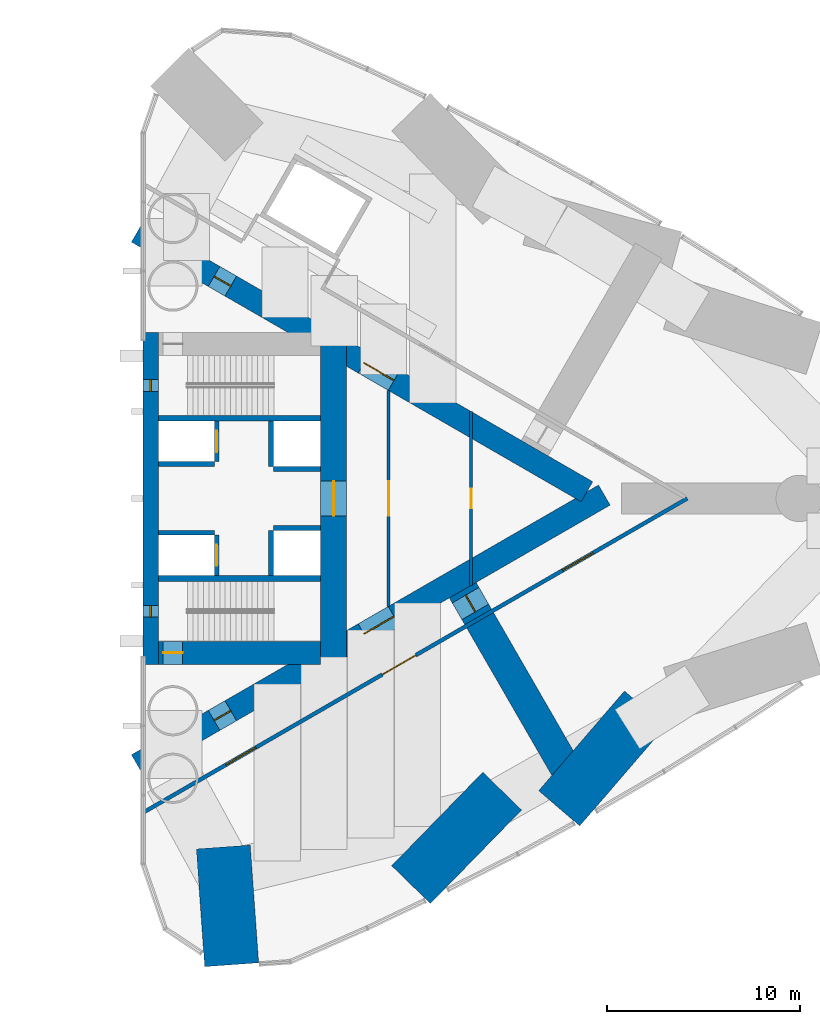
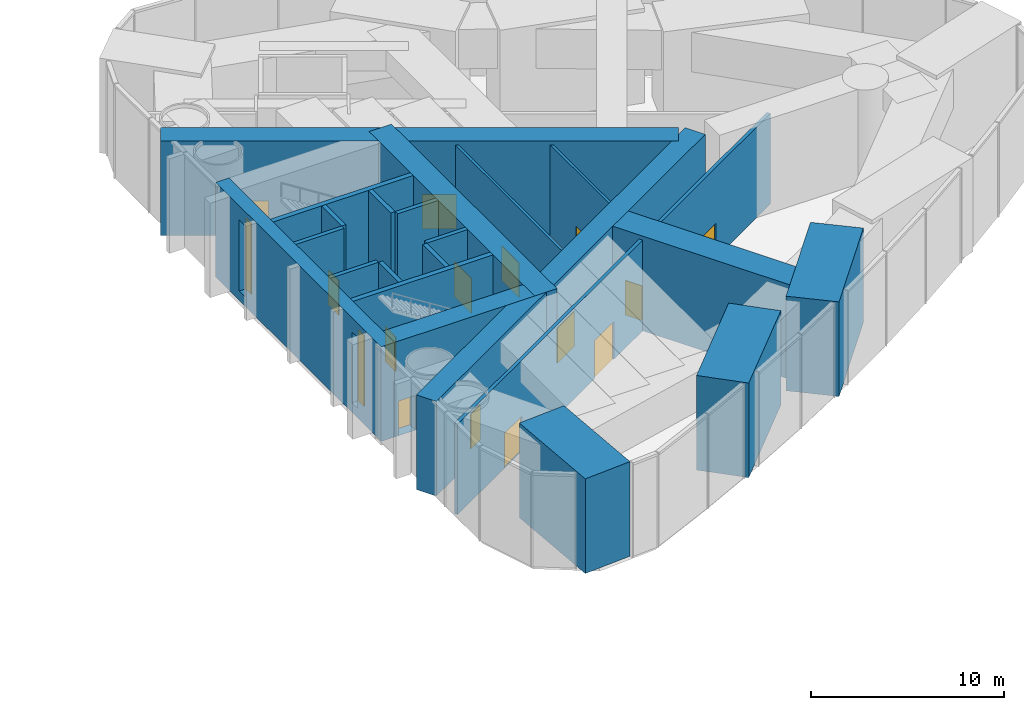
# One storey, part 13 of 16: 22 walls, 14 doors, 2 windows, 16 openings.
"""IFC4 building model written with IfcOpenShell, lengths in metres."""

from ifc_helpers import new_model, si_unit, direction, frame, frame_2d, origin, place, context, subcontext, project, spatial, rectangle, extrude, material, layer, layer_set, type_object, element, fill, save


model = new_model("IFC4")

# Units and contexts
model_context = context("Model", 3, precision=1e-05, world=origin(), true_north=direction((0.0, 1.0)))
body_context = subcontext(model_context, "Body", "Model", "MODEL_VIEW")
ifc_project = project(units=[si_unit("LENGTHUNIT", "METRE"), si_unit("AREAUNIT", "SQUARE_METRE"), si_unit("VOLUMEUNIT", "CUBIC_METRE"), si_unit("PLANEANGLEUNIT", "RADIAN"), si_unit("MASSUNIT", "GRAM", prefix="KILO")], contexts=[model_context])

# Site, building, storey
site_placement = place(None, origin())
site = spatial("IfcSite", under=ifc_project, at=site_placement, CompositionType="ELEMENT")
building_placement = place(site_placement, origin())
building = spatial("IfcBuilding", under=site, at=building_placement, Name="Lancet Gate Hotel", CompositionType="ELEMENT")
storey_placement = place(building_placement, frame((0.0, 0.0, 146.699951171875)))
storey = spatial("IfcBuildingStorey", under=building, at=storey_placement, Name="L39", CompositionType="ELEMENT", Elevation=146.699951171875)

# Wall, openings, doors
ifc_material_1 = material(Name="Concrete C70/85", Category="concrete")
ifc_layer_1 = layer(ifc_material_1, 1.199951171875)
ifc_layer_set_1 = layer_set([ifc_layer_1], Name="Buttress wall 1200")
wall_type_1 = type_object("IfcWallType", Name="Buttress wall 1200", PredefinedType="SHEAR", material=ifc_layer_set_1)
wall_1_placement = place(storey_placement, frame((27.199951171875, -13.800048828125, 0.0), z_axis=(0.0, 0.0, 1.0), x_axis=(0.866027159892, 0.499996958321, 0.0)))
wall_1 = element("IfcWall", 1, at=wall_1_placement, inside=storey, type_object=wall_type_1, Name="T2 buttress wall S L39", PredefinedType="SHEAR", context=body_context, shape_type="SweptSolid", body=[
    extrude(rectangle(XDim=27.946533203125, YDim=1.199951171875, at=frame_2d((13.97314453125, 0.0))), origin(), (0.0, 0.0, 1.0), 6.0),
])
opening_1_placement = place(wall_1_placement, frame((4.60009765625, 0.0, 0.0)))
opening_1 = element("IfcOpeningElement", 2, at=opening_1_placement, cuts=wall_1, Name="Opening T2-L39-LS", PredefinedType="OPENING", context=body_context, shape_type="SweptSolid", body=[
    extrude(rectangle(XDim=1.0, YDim=2.199951171875, at=frame_2d((0.5, 1.10009765625))), frame((0.0, 0.60986328125, 0.0), z_axis=(0.0, -1.0, 0.0), x_axis=(1.0, 0.0, 0.0)), (0.0, 0.0, 1.0), 1.219970703125),
])
opening_2_placement = place(wall_1_placement, frame((13.567626953125, 0.0, 0.0)))
opening_2 = element("IfcOpeningElement", 3, at=opening_2_placement, cuts=wall_1, Name="Opening T2-L39-LHS", PredefinedType="OPENING", context=body_context, shape_type="SweptSolid", body=[
    extrude(rectangle(XDim=1.800048828125, YDim=2.199951171875, at=frame_2d((0.89990234375, 1.10009765625))), frame((0.0, 0.60986328125, 0.0), z_axis=(0.0, -1.0, 0.0), x_axis=(1.0, 0.0, 0.0)), (0.0, 0.0, 1.0), 1.219970703125),
])
ifc_material_2 = material(Name="Timber door set", Category="wood")
door_type_1 = type_object("IfcDoorType", Name="Lobby double door 1800", OperationType="DOUBLE_DOOR_SINGLE_SWING", PredefinedType="DOOR", material=ifc_material_2)
door_1_placement = place(opening_2_placement, origin())
door_1 = element("IfcDoor", 4, at=door_1_placement, inside=storey, type_object=door_type_1, Name="T2-L39-LHS", OperationType="DOUBLE_DOOR_SINGLE_SWING", OverallHeight=2.199951171875, OverallWidth=1.800048828125, PredefinedType="DOOR", context=body_context, shape_type="SweptSolid", body=[
    extrude(rectangle(XDim=1.800048828125, YDim=2.199951171875, at=frame_2d((0.89990234375, 1.10009765625))), frame((0.0, 0.02490234375, 0.0), z_axis=(0.0, -1.0, 0.0), x_axis=(1.0, 0.0, 0.0)), (0.0, 0.0, 1.0), 0.050048828125),
])
fill(opening_2, door_1)
ifc_material_3 = material(Name="Timber door set", Category="wood")
door_type_2 = type_object("IfcDoorType", Name="Stair lobby door 1000", OperationType="SINGLE_SWING_LEFT", PredefinedType="DOOR", material=ifc_material_3)
door_2_placement = place(opening_1_placement, origin())
door_2 = element("IfcDoor", 5, at=door_2_placement, inside=storey, type_object=door_type_2, Name="T2-L39-LS", OperationType="SINGLE_SWING_LEFT", OverallHeight=2.199951171875, OverallWidth=1.0, PredefinedType="DOOR", context=body_context, shape_type="SweptSolid", body=[
    extrude(rectangle(XDim=1.0, YDim=2.199951171875, at=frame_2d((0.5, 1.10009765625))), frame((0.0, 0.02490234375, 0.0), z_axis=(0.0, -1.0, 0.0), x_axis=(1.0, 0.0, 0.0)), (0.0, 0.0, 1.0), 0.050048828125),
])
fill(opening_1, door_2)

wall_2_placement = place(storey_placement, frame((27.199951171875, 13.800048828125, 0.0), z_axis=(0.0, 0.0, 1.0), x_axis=(0.866024515034, -0.500001539357, 0.0)))
wall_2 = element("IfcWall", 6, at=wall_2_placement, inside=storey, type_object=wall_type_1, Name="T2 buttress wall N L39", PredefinedType="SHEAR", context=body_context, shape_type="SweptSolid", body=[
    extrude(rectangle(XDim=26.9072265625, YDim=1.199951171875, at=frame_2d((13.45361328125, 0.0))), origin(), (0.0, 0.0, 1.0), 6.0),
])
opening_3_placement = place(wall_2_placement, frame((4.60009765625, 0.0, 0.0)))
opening_3 = element("IfcOpeningElement", 7, at=opening_3_placement, cuts=wall_2, Name="Opening T2-L39-LN", PredefinedType="OPENING", context=body_context, shape_type="SweptSolid", body=[
    extrude(rectangle(XDim=1.0, YDim=2.199951171875, at=frame_2d((0.5, 1.10009765625))), frame((0.0, 0.60986328125, 0.0), z_axis=(0.0, -1.0, 0.0), x_axis=(1.0, 0.0, 0.0)), (0.0, 0.0, 1.0), 1.219970703125),
])
opening_4_placement = place(wall_2_placement, frame((13.567626953125, 0.0, 0.0)))
opening_4 = element("IfcOpeningElement", 8, at=opening_4_placement, cuts=wall_2, Name="Opening T2-L39-LHN", PredefinedType="OPENING", context=body_context, shape_type="SweptSolid", body=[
    extrude(rectangle(XDim=1.800048828125, YDim=2.199951171875, at=frame_2d((0.89990234375, 1.10009765625))), frame((0.0, 0.60986328125, 0.0), z_axis=(0.0, -1.0, 0.0), x_axis=(1.0, 0.0, 0.0)), (0.0, 0.0, 1.0), 1.219970703125),
])
door_3_placement = place(opening_4_placement, origin())
door_3 = element("IfcDoor", 9, at=door_3_placement, inside=storey, type_object=door_type_1, Name="T2-L39-LHN", OperationType="DOUBLE_DOOR_SINGLE_SWING", OverallHeight=2.199951171875, OverallWidth=1.800048828125, PredefinedType="DOOR", context=body_context, shape_type="SweptSolid", body=[
    extrude(rectangle(XDim=1.800048828125, YDim=2.199951171875, at=frame_2d((0.89990234375, 1.10009765625))), frame((0.0, 0.02490234375, 0.0), z_axis=(0.0, -1.0, 0.0), x_axis=(1.0, 0.0, 0.0)), (0.0, 0.0, 1.0), 0.050048828125),
])
fill(opening_4, door_3)
door_4_placement = place(opening_3_placement, origin())
door_4 = element("IfcDoor", 10, at=door_4_placement, inside=storey, type_object=door_type_2, Name="T2-L39-LN", OperationType="SINGLE_SWING_LEFT", OverallHeight=2.199951171875, OverallWidth=1.0, PredefinedType="DOOR", context=body_context, shape_type="SweptSolid", body=[
    extrude(rectangle(XDim=1.0, YDim=2.199951171875, at=frame_2d((0.5, 1.10009765625))), frame((0.0, 0.02490234375, 0.0), z_axis=(0.0, -1.0, 0.0), x_axis=(1.0, 0.0, 0.0)), (0.0, 0.0, 1.0), 0.050048828125),
])
fill(opening_3, door_4)

# Wall, opening, door
ifc_material_4 = material(Name="Concrete C70/85", Category="concrete")
ifc_layer_2 = layer(ifc_material_4, 1.35009765625)
ifc_layer_set_2 = layer_set([ifc_layer_2], Name="Core back wall 1350, outrigger storeys")
wall_type_2 = type_object("IfcWallType", Name="Core back wall 1350, outrigger storeys", PredefinedType="SHEAR", material=ifc_layer_set_2)
wall_3_placement = place(storey_placement, frame((37.375, -8.60009765625, 0.0), z_axis=(0.0, 0.0, 1.0), x_axis=(0.0, 1.0, 0.0)))
wall_3 = element("IfcWall", 11, at=wall_3_placement, inside=storey, type_object=wall_type_2, Name="T2 core wall back L39", PredefinedType="SHEAR", context=body_context, shape_type="SweptSolid", body=[
    extrude(rectangle(XDim=17.2001953125, YDim=1.35009765625, at=frame_2d((8.60009765625, 0.0))), origin(), (0.0, 0.0, 1.0), 6.0),
])
opening_5_placement = place(wall_3_placement, frame((7.699951171875, 0.0, 0.0)))
opening_5 = element("IfcOpeningElement", 12, at=opening_5_placement, cuts=wall_3, Name="Opening T2-L39-LL", PredefinedType="OPENING", context=body_context, shape_type="SweptSolid", body=[
    extrude(rectangle(XDim=1.800048828125, YDim=2.199951171875, at=frame_2d((0.89990234375, 1.10009765625))), frame((0.0, 0.68505859375, 0.0), z_axis=(0.0, -1.0, 0.0), x_axis=(1.0, 0.0, 0.0)), (0.0, 0.0, 1.0), 1.3701171875),
])
door_5_placement = place(opening_5_placement, origin())
door_5 = element("IfcDoor", 13, at=door_5_placement, inside=storey, type_object=door_type_1, Name="T2-L39-LL", OperationType="DOUBLE_DOOR_SINGLE_SWING", OverallHeight=2.199951171875, OverallWidth=1.800048828125, PredefinedType="DOOR", context=body_context, shape_type="SweptSolid", body=[
    extrude(rectangle(XDim=1.800048828125, YDim=2.199951171875, at=frame_2d((0.89990234375, 1.10009765625))), frame((0.0, 0.02490234375, 0.0), z_axis=(0.0, -1.0, 0.0), x_axis=(1.0, 0.0, 0.0)), (0.0, 0.0, 1.0), 0.050048828125),
])
fill(opening_5, door_5)

ifc_material_5 = material(Name="Concrete C70/85", Category="concrete")
ifc_layer_3 = layer(ifc_material_5, 1.199951171875)
ifc_layer_set_3 = layer_set([ifc_layer_3], Name="Core wall 1200")
wall_type_3 = type_object("IfcWallType", Name="Core wall 1200", PredefinedType="SHEAR", material=ifc_layer_set_3)
wall_4_placement = place(storey_placement, frame((28.300048828125, -8.0, 0.0), z_axis=(0.0, 0.0, 1.0), x_axis=(1.0, 0.0, 0.0)))
wall_4 = element("IfcWall", 14, at=wall_4_placement, inside=storey, type_object=wall_type_3, Name="T2 core wall side-S L39", PredefinedType="SHEAR", context=body_context, shape_type="SweptSolid", body=[
    extrude(rectangle(XDim=8.39990234375, YDim=1.199951171875, at=frame_2d((4.199951171875, 0.0))), origin(), (0.0, 0.0, 1.0), 6.0),
])
opening_6_placement = place(wall_4_placement, frame((0.25, 0.0, 0.0)))
opening_6 = element("IfcOpeningElement", 15, at=opening_6_placement, cuts=wall_4, Name="Opening T2-L39-ST1", PredefinedType="OPENING", context=body_context, shape_type="SweptSolid", body=[
    extrude(rectangle(XDim=1.0, YDim=2.199951171875, at=frame_2d((0.5, 1.10009765625))), frame((0.0, 0.60986328125, 0.0), z_axis=(0.0, -1.0, 0.0), x_axis=(1.0, 0.0, 0.0)), (0.0, 0.0, 1.0), 1.219970703125),
])
ifc_material_6 = material(Name="Timber door set", Category="wood")
door_type_3 = type_object("IfcDoorType", Name="Stair door 1000", OperationType="SINGLE_SWING_RIGHT", PredefinedType="DOOR", material=ifc_material_6)
door_6_placement = place(opening_6_placement, origin())
door_6 = element("IfcDoor", 16, at=door_6_placement, inside=storey, type_object=door_type_3, Name="T2-L39-ST1", OperationType="SINGLE_SWING_RIGHT", OverallHeight=2.199951171875, OverallWidth=1.0, PredefinedType="DOOR", context=body_context, shape_type="SweptSolid", body=[
    extrude(rectangle(XDim=1.0, YDim=2.199951171875, at=frame_2d((0.5, 1.10009765625))), frame((0.0, 0.02490234375, 0.0), z_axis=(0.0, -1.0, 0.0), x_axis=(1.0, 0.0, 0.0)), (0.0, 0.0, 1.0), 0.050048828125),
])
fill(opening_6, door_6)

# Wall, openings, windows
ifc_material_7 = material(Name="Concrete C70/85", Category="concrete")
ifc_layer_4 = layer(ifc_material_7, 0.800048828125)
ifc_layer_set_4 = layer_set([ifc_layer_4], Name="Core wall 800")
wall_type_4 = type_object("IfcWallType", Name="Core wall 800", PredefinedType="SHEAR", material=ifc_layer_set_4)
wall_5_placement = place(storey_placement, frame((27.89990234375, -8.60009765625, 0.0), z_axis=(0.0, 0.0, 1.0), x_axis=(0.0, 1.0, 0.0)))
wall_5 = element("IfcWall", 17, at=wall_5_placement, inside=storey, type_object=wall_type_4, Name="T2 core wall front L39", PredefinedType="SHEAR", context=body_context, shape_type="SweptSolid", body=[
    extrude(rectangle(XDim=17.2001953125, YDim=0.800048828125, at=frame_2d((8.60009765625, 0.0))), origin(), (0.0, 0.0, 1.0), 6.0),
])
opening_7_placement = place(wall_5_placement, frame((2.449951171875, 0.0, 0.60009765625)))
opening_7 = element("IfcOpeningElement", 18, at=opening_7_placement, cuts=wall_5, Name="Opening LW3", PredefinedType="OPENING", context=body_context, shape_type="SweptSolid", body=[
    extrude(rectangle(XDim=0.60009765625, YDim=4.5, at=frame_2d((0.300048828125, 2.25))), frame((0.0, 0.409912109375, 0.0), z_axis=(0.0, -1.0, 0.0), x_axis=(1.0, 0.0, 0.0)), (0.0, 0.0, 1.0), 0.820068359375),
])
opening_8_placement = place(wall_5_placement, frame((14.14990234375, 0.0, 0.60009765625)))
opening_8 = element("IfcOpeningElement", 19, at=opening_8_placement, cuts=wall_5, Name="Opening LW3", PredefinedType="OPENING", context=body_context, shape_type="SweptSolid", body=[
    extrude(rectangle(XDim=0.60009765625, YDim=4.5, at=frame_2d((0.300048828125, 2.25))), frame((0.0, 0.409912109375, 0.0), z_axis=(0.0, -1.0, 0.0), x_axis=(1.0, 0.0, 0.0)), (0.0, 0.0, 1.0), 0.820068359375),
])
ifc_material_8 = material(Name="Fire-resisting glazed steel window", Category="steel")
window_type = type_object("IfcWindowType", Name="Lancet window 600x4500", PartitioningType="SINGLE_PANEL", PredefinedType="WINDOW", material=ifc_material_8)
window_1_placement = place(opening_7_placement, origin())
window_1 = element("IfcWindow", 20, at=window_1_placement, inside=storey, type_object=window_type, Name="T2 stair window S L39", OverallHeight=4.5, OverallWidth=0.60009765625, PartitioningType="SINGLE_PANEL", PredefinedType="WINDOW", context=body_context, shape_type="SweptSolid", body=[
    extrude(rectangle(XDim=0.60009765625, YDim=4.5, at=frame_2d((0.300048828125, 2.25))), frame((0.0, 0.030029296875, 0.0), z_axis=(0.0, -1.0, 0.0), x_axis=(1.0, 0.0, 0.0)), (0.0, 0.0, 1.0), 0.06005859375),
])
fill(opening_7, window_1)
window_2_placement = place(opening_8_placement, origin())
window_2 = element("IfcWindow", 21, at=window_2_placement, inside=storey, type_object=window_type, Name="T2 stair window N L39", OverallHeight=4.5, OverallWidth=0.60009765625, PartitioningType="SINGLE_PANEL", PredefinedType="WINDOW", context=body_context, shape_type="SweptSolid", body=[
    extrude(rectangle(XDim=0.60009765625, YDim=4.5, at=frame_2d((0.300048828125, 2.25))), frame((0.0, 0.030029296875, 0.0), z_axis=(0.0, -1.0, 0.0), x_axis=(1.0, 0.0, 0.0)), (0.0, 0.0, 1.0), 0.06005859375),
])
fill(opening_8, window_2)

# Wall, openings, doors
ifc_material_9 = material(Name="Gypsum board partition")
ifc_layer_5 = layer(ifc_material_9, 0.199951171875)
ifc_layer_set_5 = layer_set([ifc_layer_5], Name="Corridor wall 200")
wall_type_5 = type_object("IfcWallType", Name="Corridor wall 200", PredefinedType="PARTITIONING", material=ifc_layer_set_5)
wall_6_placement = place(storey_placement, frame((27.572021484375, -16.240966796875, 0.0), z_axis=(0.0, 0.0, 1.0), x_axis=(0.86602499815, 0.500000702579, 0.0)))
wall_6 = element("IfcWall", 22, at=wall_6_placement, inside=storey, type_object=wall_type_5, Name="T2 corridor wall 200 L39", PredefinedType="PARTITIONING", context=body_context, shape_type="SweptSolid", body=[
    extrude(rectangle(XDim=32.48193359375, YDim=0.199951171875, at=frame_2d((16.240966796875, 0.0))), origin(), (0.0, 0.0, 1.0), 5.75),
])
opening_9_placement = place(wall_6_placement, frame((4.875244140625, 0.0, 0.0)))
opening_9 = element("IfcOpeningElement", 23, at=opening_9_placement, cuts=wall_6, Name="Opening T2-L39-RB01", PredefinedType="OPENING", context=body_context, shape_type="SweptSolid", body=[
    extrude(rectangle(XDim=1.800048828125, YDim=2.199951171875, at=frame_2d((0.89990234375, 1.10009765625))), frame((0.0, 0.10986328125, 0.0), z_axis=(0.0, -1.0, 0.0), x_axis=(1.0, 0.0, 0.0)), (0.0, 0.0, 1.0), 0.219970703125),
])
opening_10_placement = place(wall_6_placement, frame((14.239501953125, 0.0, 0.0)))
opening_10 = element("IfcOpeningElement", 24, at=opening_10_placement, cuts=wall_6, Name="Opening T2-L39-RB02", PredefinedType="OPENING", context=body_context, shape_type="SweptSolid", body=[
    extrude(rectangle(XDim=2.0, YDim=2.39990234375, at=frame_2d((1.0, 1.199951171875))), frame((0.0, 0.10986328125, 0.0), z_axis=(0.0, -1.0, 0.0), x_axis=(1.0, 0.0, 0.0)), (0.0, 0.0, 1.0), 0.219970703125),
])
opening_11_placement = place(wall_6_placement, frame((25.029296875, 0.0, 0.0)))
opening_11 = element("IfcOpeningElement", 25, at=opening_11_placement, cuts=wall_6, Name="Opening T2-L39-RB04", PredefinedType="OPENING", context=body_context, shape_type="SweptSolid", body=[
    extrude(rectangle(XDim=1.800048828125, YDim=2.199951171875, at=frame_2d((0.89990234375, 1.10009765625))), frame((0.0, 0.10986328125, 0.0), z_axis=(0.0, -1.0, 0.0), x_axis=(1.0, 0.0, 0.0)), (0.0, 0.0, 1.0), 0.219970703125),
])
ifc_material_10 = material(Name="Timber door set", Category="wood")
door_type_4 = type_object("IfcDoorType", Name="Double door 1800", OperationType="DOUBLE_DOOR_SINGLE_SWING", PredefinedType="DOOR", material=ifc_material_10)
door_7_placement = place(opening_9_placement, origin())
door_7 = element("IfcDoor", 26, at=door_7_placement, inside=storey, type_object=door_type_4, Name="T2-L39-RB01", OperationType="DOUBLE_DOOR_SINGLE_SWING", OverallHeight=2.199951171875, OverallWidth=1.800048828125, PredefinedType="DOOR", context=body_context, shape_type="SweptSolid", body=[
    extrude(rectangle(XDim=1.800048828125, YDim=2.199951171875, at=frame_2d((0.89990234375, 1.10009765625))), frame((0.0, 0.02490234375, 0.0), z_axis=(0.0, -1.0, 0.0), x_axis=(1.0, 0.0, 0.0)), (0.0, 0.0, 1.0), 0.050048828125),
])
fill(opening_9, door_7)
door_8_placement = place(opening_11_placement, origin())
door_8 = element("IfcDoor", 27, at=door_8_placement, inside=storey, type_object=door_type_4, Name="T2-L39-RB04", OperationType="DOUBLE_DOOR_SINGLE_SWING", OverallHeight=2.199951171875, OverallWidth=1.800048828125, PredefinedType="DOOR", context=body_context, shape_type="SweptSolid", body=[
    extrude(rectangle(XDim=1.800048828125, YDim=2.199951171875, at=frame_2d((0.89990234375, 1.10009765625))), frame((0.0, 0.02490234375, 0.0), z_axis=(0.0, -1.0, 0.0), x_axis=(1.0, 0.0, 0.0)), (0.0, 0.0, 1.0), 0.050048828125),
])
fill(opening_11, door_8)
ifc_material_11 = material(Name="Timber door set", Category="wood")
door_type_5 = type_object("IfcDoorType", Name="Plant room double door 2000", OperationType="DOUBLE_DOOR_SINGLE_SWING", PredefinedType="DOOR", material=ifc_material_11)
door_9_placement = place(opening_10_placement, origin())
door_9 = element("IfcDoor", 28, at=door_9_placement, inside=storey, type_object=door_type_5, Name="T2-L39-RB02", OperationType="DOUBLE_DOOR_SINGLE_SWING", OverallHeight=2.39990234375, OverallWidth=2.0, PredefinedType="DOOR", context=body_context, shape_type="SweptSolid", body=[
    extrude(rectangle(XDim=2.0, YDim=2.39990234375, at=frame_2d((1.0, 1.199951171875))), frame((0.0, 0.02490234375, 0.0), z_axis=(0.0, -1.0, 0.0), x_axis=(1.0, 0.0, 0.0)), (0.0, 0.0, 1.0), 0.050048828125),
])
fill(opening_10, door_9)

# Wall, opening, door
ifc_material_12 = material(Name="Concrete C50/60", Category="concrete")
ifc_layer_6 = layer(ifc_material_12, 0.25)
ifc_layer_set_6 = layer_set([ifc_layer_6], Name="Lift shaft wall 250")
wall_type_6 = type_object("IfcWallType", Name="Lift shaft wall 250", PredefinedType="SHEAR", material=ifc_layer_set_6)
wall_7_placement = place(storey_placement, frame((31.324951171875, -4.0, 0.0), z_axis=(0.0, 0.0, 1.0), x_axis=(0.0, 1.0, 0.0)))
wall_7 = element("IfcWall", 29, at=wall_7_placement, inside=storey, type_object=wall_type_6, Name="T2 core wall row1-S L39", PredefinedType="SHEAR", context=body_context, shape_type="SweptSolid", body=[
    extrude(rectangle(XDim=2.10009765625, YDim=0.25, at=frame_2d((1.050048828125, 0.0))), origin(), (0.0, 0.0, 1.0), 6.0),
])
opening_12_placement = place(wall_7_placement, frame((0.5, 0.0, 0.0)))
opening_12 = element("IfcOpeningElement", 30, at=opening_12_placement, cuts=wall_7, Name="Opening T2-SL1-L39", PredefinedType="OPENING", context=body_context, shape_type="SweptSolid", body=[
    extrude(rectangle(XDim=1.10009765625, YDim=2.199951171875, at=frame_2d((0.550048828125, 1.10009765625))), frame((0.0, 0.135009765625, 0.0), z_axis=(0.0, -1.0, 0.0), x_axis=(1.0, 0.0, 0.0)), (0.0, 0.0, 1.0), 0.27001953125),
])
ifc_material_13 = material(Name="Timber door set", Category="wood")
door_type_6 = type_object("IfcDoorType", Name="Service lift landing door 1100", OperationType="SLIDING_TO_LEFT", PredefinedType="USERDEFINED", material=ifc_material_13)
door_10_placement = place(opening_12_placement, origin())
door_10 = element("IfcDoor", 31, at=door_10_placement, inside=storey, type_object=door_type_6, Name="T2-SL1-L39", ObjectType="LIFT LANDING DOOR", OperationType="SLIDING_TO_LEFT", OverallHeight=2.199951171875, OverallWidth=1.10009765625, PredefinedType="USERDEFINED", context=body_context, shape_type="SweptSolid", body=[
    extrude(rectangle(XDim=1.10009765625, YDim=2.199951171875, at=frame_2d((0.550048828125, 1.10009765625))), frame((0.0, 0.02490234375, 0.0), z_axis=(0.0, -1.0, 0.0), x_axis=(1.0, 0.0, 0.0)), (0.0, 0.0, 1.0), 0.050048828125),
])
fill(opening_12, door_10)

# Walls
wall_8_placement = place(storey_placement, frame((34.125, -4.0, 0.0), z_axis=(0.0, 0.0, 1.0), x_axis=(0.0, 1.0, 0.0)))
element("IfcWall", 32, at=wall_8_placement, inside=storey, type_object=wall_type_6, Name="T2 core wall row2-S L39", PredefinedType="SHEAR", context=body_context, shape_type="SweptSolid", body=[
    extrude(rectangle(XDim=2.35009765625, YDim=0.25, at=frame_2d((1.175048828125, 0.0))), origin(), (0.0, 0.0, 1.0), 6.0),
])
wall_9_placement = place(storey_placement, frame((28.300048828125, -1.77490234375, 0.0), z_axis=(0.0, 0.0, 1.0), x_axis=(1.0, 0.0, 0.0)))
element("IfcWall", 33, at=wall_9_placement, inside=storey, type_object=wall_type_6, Name="T2 core wall pass1-S L39", PredefinedType="SHEAR", context=body_context, shape_type="SweptSolid", body=[
    extrude(rectangle(XDim=2.89990234375, YDim=0.25, at=frame_2d((1.449951171875, 0.0))), origin(), (0.0, 0.0, 1.0), 6.0),
])
wall_10_placement = place(storey_placement, frame((34.25, -1.52490234375, 0.0), z_axis=(0.0, 0.0, 1.0), x_axis=(1.0, 0.0, 0.0)))
element("IfcWall", 34, at=wall_10_placement, inside=storey, type_object=wall_type_6, Name="T2 core wall pass2-S L39", PredefinedType="SHEAR", context=body_context, shape_type="SweptSolid", body=[
    extrude(rectangle(XDim=2.449951171875, YDim=0.25, at=frame_2d((1.22509765625, 0.0))), origin(), (0.0, 0.0, 1.0), 6.0),
])

# Wall, opening, door
wall_11_placement = place(storey_placement, frame((31.324951171875, 1.89990234375, 0.0), z_axis=(0.0, 0.0, 1.0), x_axis=(0.0, 1.0, 0.0)))
wall_11 = element("IfcWall", 35, at=wall_11_placement, inside=storey, type_object=wall_type_6, Name="T2 core wall row1-N L39", PredefinedType="SHEAR", context=body_context, shape_type="SweptSolid", body=[
    extrude(rectangle(XDim=2.10009765625, YDim=0.25, at=frame_2d((1.050048828125, 0.0))), origin(), (0.0, 0.0, 1.0), 6.0),
])
opening_13_placement = place(wall_11_placement, frame((0.5, 0.0, 0.0)))
opening_13 = element("IfcOpeningElement", 36, at=opening_13_placement, cuts=wall_11, Name="Opening T2-FL2-L39", PredefinedType="OPENING", context=body_context, shape_type="SweptSolid", body=[
    extrude(rectangle(XDim=1.10009765625, YDim=2.199951171875, at=frame_2d((0.550048828125, 1.10009765625))), frame((0.0, 0.135009765625, 0.0), z_axis=(0.0, -1.0, 0.0), x_axis=(1.0, 0.0, 0.0)), (0.0, 0.0, 1.0), 0.27001953125),
])
ifc_material_14 = material(Name="Steel door set", Category="steel")
door_type_7 = type_object("IfcDoorType", Name="Firefighting lift landing door 1100", OperationType="SLIDING_TO_LEFT", PredefinedType="USERDEFINED", material=ifc_material_14)
door_11_placement = place(opening_13_placement, origin())
door_11 = element("IfcDoor", 37, at=door_11_placement, inside=storey, type_object=door_type_7, Name="T2-FL2-L39", ObjectType="LIFT LANDING DOOR", OperationType="SLIDING_TO_LEFT", OverallHeight=2.199951171875, OverallWidth=1.10009765625, PredefinedType="USERDEFINED", context=body_context, shape_type="SweptSolid", body=[
    extrude(rectangle(XDim=1.10009765625, YDim=2.199951171875, at=frame_2d((0.550048828125, 1.10009765625))), frame((0.0, 0.02490234375, 0.0), z_axis=(0.0, -1.0, 0.0), x_axis=(1.0, 0.0, 0.0)), (0.0, 0.0, 1.0), 0.050048828125),
])
fill(opening_13, door_11)

# Walls
wall_12_placement = place(storey_placement, frame((34.125, 1.64990234375, 0.0), z_axis=(0.0, 0.0, 1.0), x_axis=(0.0, 1.0, 0.0)))
element("IfcWall", 38, at=wall_12_placement, inside=storey, type_object=wall_type_6, Name="T2 core wall row2-N L39", PredefinedType="SHEAR", context=body_context, shape_type="SweptSolid", body=[
    extrude(rectangle(XDim=2.35009765625, YDim=0.25, at=frame_2d((1.175048828125, 0.0))), origin(), (0.0, 0.0, 1.0), 6.0),
])
wall_13_placement = place(storey_placement, frame((28.300048828125, 1.77490234375, 0.0), z_axis=(0.0, 0.0, 1.0), x_axis=(1.0, 0.0, 0.0)))
element("IfcWall", 39, at=wall_13_placement, inside=storey, type_object=wall_type_6, Name="T2 core wall pass1-N L39", PredefinedType="SHEAR", context=body_context, shape_type="SweptSolid", body=[
    extrude(rectangle(XDim=2.89990234375, YDim=0.25, at=frame_2d((1.449951171875, 0.0))), origin(), (0.0, 0.0, 1.0), 6.0),
])
wall_14_placement = place(storey_placement, frame((34.25, 1.52490234375, 0.0), z_axis=(0.0, 0.0, 1.0), x_axis=(1.0, 0.0, 0.0)))
element("IfcWall", 40, at=wall_14_placement, inside=storey, type_object=wall_type_6, Name="T2 core wall pass2-N L39", PredefinedType="SHEAR", context=body_context, shape_type="SweptSolid", body=[
    extrude(rectangle(XDim=2.449951171875, YDim=0.25, at=frame_2d((1.22509765625, 0.0))), origin(), (0.0, 0.0, 1.0), 6.0),
])

# Wall, opening, door
ifc_material_15 = material(Name="Concrete C80/95", Category="concrete")
ifc_layer_7 = layer(ifc_material_15, 1.60009765625)
ifc_layer_set_7 = layer_set([ifc_layer_7], Name="Outrigger wall 1600")
wall_type_7 = type_object("IfcWallType", Name="Outrigger wall 1600", PredefinedType="SHEAR", material=ifc_layer_set_7)
wall_15_placement = place(storey_placement, frame((44.067138671875, -4.75439453125, 0.0), z_axis=(0.0, 0.0, 1.0), x_axis=(0.499987574995, -0.866032577246, 0.0)))
wall_15 = element("IfcWall", 41, at=wall_15_placement, inside=storey, type_object=wall_type_7, Name="T2 outrigger wall OS2 L39", PredefinedType="SHEAR", context=body_context, shape_type="SweptSolid", body=[
    extrude(rectangle(XDim=11.823974609375, YDim=1.60009765625, at=frame_2d((5.912109375, 0.0))), origin(), (0.0, 0.0, 1.0), 6.0),
])
opening_14_placement = place(wall_15_placement, frame((0.300048828125, 0.0, 0.0)))
opening_14 = element("IfcOpeningElement", 42, at=opening_14_placement, cuts=wall_15, Name="Opening T2-L39-LSO", PredefinedType="OPENING", context=body_context, shape_type="SweptSolid", body=[
    extrude(rectangle(XDim=1.0, YDim=2.199951171875, at=frame_2d((0.5, 1.10009765625))), frame((0.0, 0.81005859375, 0.0), z_axis=(0.0, -1.0, 0.0), x_axis=(1.0, 0.0, 0.0)), (0.0, 0.0, 1.0), 1.6201171875),
])
ifc_material_16 = material(Name="Timber door set", Category="wood")
door_type_8 = type_object("IfcDoorType", Name="Corridor door 1000", OperationType="SINGLE_SWING_LEFT", PredefinedType="DOOR", material=ifc_material_16)
door_12_placement = place(opening_14_placement, origin())
door_12 = element("IfcDoor", 43, at=door_12_placement, inside=storey, type_object=door_type_8, Name="T2-L39-LSO", OperationType="SINGLE_SWING_LEFT", OverallHeight=2.199951171875, OverallWidth=1.0, PredefinedType="DOOR", context=body_context, shape_type="SweptSolid", body=[
    extrude(rectangle(XDim=1.0, YDim=2.199951171875, at=frame_2d((0.5, 1.10009765625))), frame((0.0, 0.02490234375, 0.0), z_axis=(0.0, -1.0, 0.0), x_axis=(1.0, 0.0, 0.0)), (0.0, 0.0, 1.0), 0.050048828125),
])
fill(opening_14, door_12)

# Walls
ifc_material_17 = material(Name="Concrete C80/95", Category="concrete")
ifc_layer_8 = layer(ifc_material_17, 2.800048828125)
ifc_layer_set_8 = layer_set([ifc_layer_8], Name="Radial transfer wall 2800")
wall_type_8 = type_object("IfcWallType", Name="Radial transfer wall 2800", PredefinedType="SHEAR", material=ifc_layer_set_8)
wall_16_placement = place(storey_placement, frame((32.095703125, -24.15966796875, 0.0), z_axis=(0.0, 0.0, 1.0), x_axis=(-0.071255560652, 0.99745809189, 0.0)))
element("IfcWall", 44, at=wall_16_placement, inside=storey, type_object=wall_type_8, Name="T2 radial transfer wall CS L39", PredefinedType="SHEAR", context=body_context, shape_type="SweptSolid", body=[
    extrude(rectangle(XDim=6.115966796875, YDim=2.800048828125, at=frame_2d((3.05810546875, 0.0))), origin(), (0.0, 0.0, 1.0), 6.0),
])
wall_17_placement = place(storey_placement, frame((41.388916015625, -20.009521484375, 0.0), z_axis=(0.0, 0.0, 1.0), x_axis=(0.698062666637, 0.716036670463, 0.0)))
element("IfcWall", 45, at=wall_17_placement, inside=storey, type_object=wall_type_8, Name="T2 radial transfer wall OS1 L39", PredefinedType="SHEAR", context=body_context, shape_type="SweptSolid", body=[
    extrude(rectangle(XDim=6.764404296875, YDim=2.800048828125, at=frame_2d((3.38232421875, 0.0))), origin(), (0.0, 0.0, 1.0), 6.0),
])
wall_18_placement = place(storey_placement, frame((49.06591796875, -16.055419921875, 0.0), z_axis=(0.0, 0.0, 1.0), x_axis=(0.652228022196, 0.758022827534, 0.0)))
element("IfcWall", 46, at=wall_18_placement, inside=storey, type_object=wall_type_8, Name="T2 radial transfer wall OS2 L39", PredefinedType="SHEAR", context=body_context, shape_type="SweptSolid", body=[
    extrude(rectangle(XDim=6.81005859375, YDim=2.800048828125, at=frame_2d((3.405029296875, 0.0))), origin(), (0.0, 0.0, 1.0), 6.0),
])

# Wall, opening, door
ifc_material_18 = material(Name="Gypsum board partition")
ifc_layer_9 = layer(ifc_material_18, 0.14990234375)
ifc_layer_set_9 = layer_set([ifc_layer_9], Name="Service room wall 150")
wall_type_9 = type_object("IfcWallType", Name="Service room wall 150", PredefinedType="PARTITIONING", material=ifc_layer_set_9)
wall_19_placement = place(storey_placement, frame((40.22509765625, -5.587158203125, 0.0), z_axis=(0.0, 0.0, 1.0), x_axis=(0.0, 1.0, 0.0)))
wall_19 = element("IfcWall", 47, at=wall_19_placement, inside=storey, type_object=wall_type_9, Name="T2 service room wall 150 L39", PredefinedType="PARTITIONING", context=body_context, shape_type="SweptSolid", body=[
    extrude(rectangle(XDim=11.17431640625, YDim=0.14990234375, at=frame_2d((5.587158203125, 0.0))), origin(), (0.0, 0.0, 1.0), 5.75),
])
opening_15_placement = place(wall_19_placement, frame((4.687255859375, 0.0, 0.0)))
opening_15 = element("IfcOpeningElement", 48, at=opening_15_placement, cuts=wall_19, Name="Opening T2-L39-LH", PredefinedType="OPENING", context=body_context, shape_type="SweptSolid", body=[
    extrude(rectangle(XDim=1.800048828125, YDim=2.199951171875, at=frame_2d((0.89990234375, 1.10009765625))), frame((0.0, 0.0849609375, 0.0), z_axis=(0.0, -1.0, 0.0), x_axis=(1.0, 0.0, 0.0)), (0.0, 0.0, 1.0), 0.169921875),
])
door_13_placement = place(opening_15_placement, origin())
door_13 = element("IfcDoor", 49, at=door_13_placement, inside=storey, type_object=door_type_1, Name="T2-L39-LH", OperationType="DOUBLE_DOOR_SINGLE_SWING", OverallHeight=2.199951171875, OverallWidth=1.800048828125, PredefinedType="DOOR", context=body_context, shape_type="SweptSolid", body=[
    extrude(rectangle(XDim=1.800048828125, YDim=2.199951171875, at=frame_2d((0.89990234375, 1.10009765625))), frame((0.0, 0.02490234375, 0.0), z_axis=(0.0, -1.0, 0.0), x_axis=(1.0, 0.0, 0.0)), (0.0, 0.0, 1.0), 0.050048828125),
])
fill(opening_15, door_13)

wall_20_placement = place(storey_placement, frame((44.5, -4.504638671875, 0.0), z_axis=(0.0, 0.0, 1.0), x_axis=(0.0, 1.0, 0.0)))
wall_20 = element("IfcWall", 50, at=wall_20_placement, inside=storey, type_object=wall_type_9, Name="T2 service room wall 150 L39", PredefinedType="PARTITIONING", context=body_context, shape_type="SweptSolid", body=[
    extrude(rectangle(XDim=9.00927734375, YDim=0.14990234375, at=frame_2d((4.504638671875, 0.0))), origin(), (0.0, 0.0, 1.0), 5.75),
])
opening_16_placement = place(wall_20_placement, frame((4.004638671875, 0.0, 0.0)))
opening_16 = element("IfcOpeningElement", 51, at=opening_16_placement, cuts=wall_20, Name="Opening T2-L39-SV", PredefinedType="OPENING", context=body_context, shape_type="SweptSolid", body=[
    extrude(rectangle(XDim=1.0, YDim=2.199951171875, at=frame_2d((0.5, 1.10009765625))), frame((0.0, 0.0849609375, 0.0), z_axis=(0.0, -1.0, 0.0), x_axis=(1.0, 0.0, 0.0)), (0.0, 0.0, 1.0), 0.169921875),
])
ifc_material_19 = material(Name="Timber door set", Category="wood")
door_type_9 = type_object("IfcDoorType", Name="Service door 1000", OperationType="SINGLE_SWING_LEFT", PredefinedType="DOOR", material=ifc_material_19)
door_14_placement = place(opening_16_placement, origin())
door_14 = element("IfcDoor", 52, at=door_14_placement, inside=storey, type_object=door_type_9, Name="T2-L39-SV", OperationType="SINGLE_SWING_LEFT", OverallHeight=2.199951171875, OverallWidth=1.0, PredefinedType="DOOR", context=body_context, shape_type="SweptSolid", body=[
    extrude(rectangle(XDim=1.0, YDim=2.199951171875, at=frame_2d((0.5, 1.10009765625))), frame((0.0, 0.02490234375, 0.0), z_axis=(0.0, -1.0, 0.0), x_axis=(1.0, 0.0, 0.0)), (0.0, 0.0, 1.0), 0.050048828125),
])
fill(opening_16, door_14)

# Walls
ifc_material_20 = material(Name="Concrete C50/60", Category="concrete")
ifc_layer_10 = layer(ifc_material_20, 0.300048828125)
ifc_layer_set_10 = layer_set([ifc_layer_10], Name="Stair enclosure wall 300")
wall_type_10 = type_object("IfcWallType", Name="Stair enclosure wall 300", PredefinedType="SHEAR", material=ifc_layer_set_10)
for number, where, z_axis, x_axis, name in (
    (53, (28.300048828125, -4.14990234375, 0.0), (0.0, 0.0, 1.0), (1.0, 0.0, 0.0), "T2 core wall stair-S L39"),
    (54, (28.300048828125, 4.14990234375, 0.0), (0.0, 0.0, 1.0), (1.0, 0.0, 0.0), "T2 core wall stair-N L39"),
):
    element("IfcWall", number, at=place(storey_placement, frame(where, z_axis=z_axis, x_axis=x_axis)), inside=storey, type_object=wall_type_10, Name=name, PredefinedType="SHEAR", context=body_context, shape_type="SweptSolid", body=[
        extrude(rectangle(XDim=8.39990234375, YDim=0.300048828125, at=frame_2d((4.199951171875, 0.0))), origin(), (0.0, 0.0, 1.0), 6.0),
    ])

save(model, "model.ifc")
